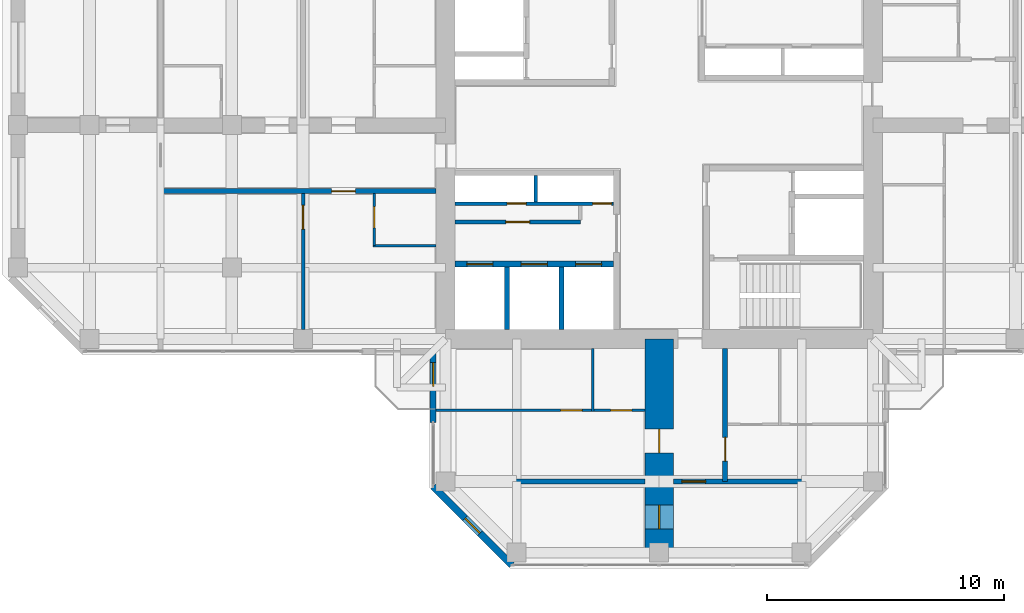
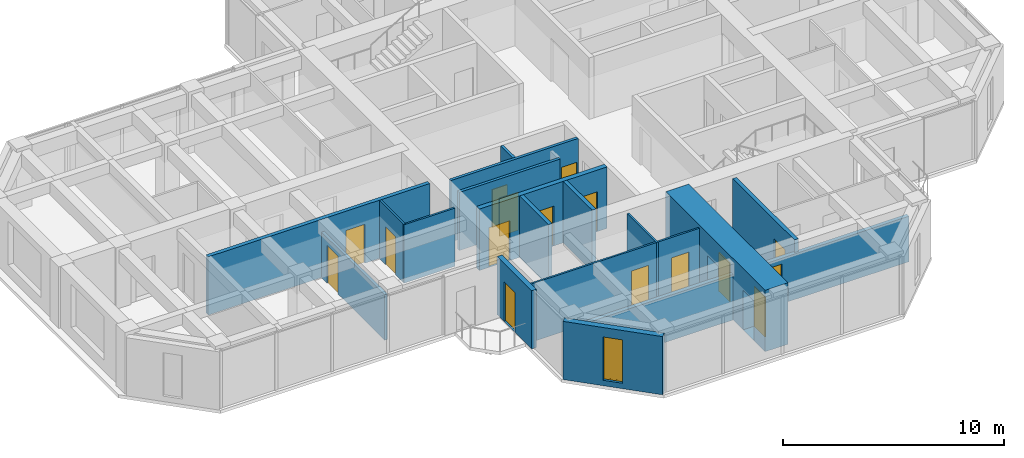
# One storey, part 8 of 13: 18 walls, 16 doors, 1 window, 17 openings.
"""IFC4 building model written with IfcOpenShell, lengths in metres."""

from ifc_helpers import new_model, si_unit, direction, frame, frame_2d, origin, place, context, subcontext, project, spatial, rectangle, hollow_rectangle, extrude, material, layer, layer_set, constituent, constituent_set, type_object, element, fill, save


model = new_model("IFC4")

# Units and contexts
model_context = context("Model", 3, precision=1e-05, world=origin(), true_north=direction((0.0, 1.0)))
body_context = subcontext(model_context, "Body", "Model", "MODEL_VIEW")
ifc_project = project(units=[si_unit("LENGTHUNIT", "METRE"), si_unit("AREAUNIT", "SQUARE_METRE"), si_unit("VOLUMEUNIT", "CUBIC_METRE"), si_unit("PLANEANGLEUNIT", "RADIAN"), si_unit("MASSUNIT", "GRAM", prefix="KILO")], contexts=[model_context])

# Site, building, storey
site_placement = place(None, origin())
site = spatial("IfcSite", under=ifc_project, at=site_placement, CompositionType="ELEMENT")
building_placement = place(site_placement, origin())
building = spatial("IfcBuilding", under=site, at=building_placement, Name="Torre Cruceta", CompositionType="ELEMENT")
storey_placement = place(building_placement, frame((0.0, 0.0, 232.300048828125)))
storey = spatial("IfcBuildingStorey", under=building, at=storey_placement, Name="L59", CompositionType="ELEMENT", Elevation=232.300048828125)

# Wall
ifc_material_1 = material(Name="Water-resistant plasterboard on steel studs", Category="steel")
ifc_layer_1 = layer(ifc_material_1, 0.10009765625)
ifc_layer_set_1 = layer_set([ifc_layer_1], Name="Water-resistant plasterboard on steel studs")
wall_type_1 = type_object("IfcWallType", Name="BATHROOM WALL 100", PredefinedType="PARTITIONING", material=ifc_layer_set_1)
wall_1_placement = place(storey_placement, frame((-2.800048828125, -9.39990234375, 0.0), z_axis=(0.0, 0.0, 1.0), x_axis=(0.0, -1.0, 0.0)))
element("IfcWall", 1, at=wall_1_placement, inside=storey, type_object=wall_type_1, Name="PT4 L59-S-U1RBB", PredefinedType="PARTITIONING", context=body_context, shape_type="SweptSolid", body=[
    extrude(rectangle(XDim=2.650146484375, YDim=0.10009765625, at=frame_2d((1.3251953125, 0.0))), origin(), (0.0, 0.0, 1.0), 3.219970703125),
])

# Wall, openings, doors
wall_2_placement = place(storey_placement, frame((-9.39501953125, -12.0, 0.0), z_axis=(0.0, 0.0, 1.0), x_axis=(1.0, 0.0, 0.0)))
wall_2 = element("IfcWall", 2, at=wall_2_placement, inside=storey, type_object=wall_type_1, Name="PT4 L59-S-U1RBS", PredefinedType="PARTITIONING", context=body_context, shape_type="SweptSolid", body=[
    extrude(rectangle(XDim=8.794921875, YDim=0.10009765625, at=frame_2d((4.3974609375, 0.0))), origin(), (0.0, 0.0, 1.0), 3.219970703125),
])
opening_1_placement = place(wall_2_placement, frame((5.2451171875, 0.0, 0.0)))
opening_1 = element("IfcOpeningElement", 3, at=opening_1_placement, cuts=wall_2, Name="Opening D7", PredefinedType="OPENING", context=body_context, shape_type="SweptSolid", body=[
    extrude(rectangle(XDim=0.89990234375, YDim=2.10009765625, at=frame_2d((0.449951171875, 1.050048828125))), frame((0.0, 0.06005859375, 0.0), z_axis=(0.0, -1.0, 0.0), x_axis=(1.0, 0.0, 0.0)), (0.0, 0.0, 1.0), 0.1201171875),
])
opening_2_placement = place(wall_2_placement, frame((7.344970703125, 0.0, 0.0)))
opening_2 = element("IfcOpeningElement", 4, at=opening_2_placement, cuts=wall_2, Name="Opening D7", PredefinedType="OPENING", context=body_context, shape_type="SweptSolid", body=[
    extrude(rectangle(XDim=0.89990234375, YDim=2.10009765625, at=frame_2d((0.449951171875, 1.050048828125))), frame((0.0, 0.06005859375, 0.0), z_axis=(0.0, -1.0, 0.0), x_axis=(1.0, 0.0, 0.0)), (0.0, 0.0, 1.0), 0.1201171875),
])
ifc_material_2 = material(Name="Timber door", Category="wood")
door_type_1 = type_object("IfcDoorType", Name="BATHROOM DOOR 900X2100", OperationType="SINGLE_SWING_LEFT", PredefinedType="DOOR", material=ifc_material_2)
door_1_placement = place(opening_1_placement, origin())
door_1 = element("IfcDoor", 5, at=door_1_placement, inside=storey, type_object=door_type_1, Name="D7 L59-S-U1RBS-D1", OperationType="SINGLE_SWING_RIGHT", OverallHeight=2.10009765625, OverallWidth=0.89990234375, PredefinedType="DOOR", context=body_context, shape_type="SweptSolid", body=[
    extrude(rectangle(XDim=0.89990234375, YDim=2.10009765625, at=frame_2d((0.449951171875, 1.050048828125))), frame((0.0, 0.02490234375, 0.0), z_axis=(0.0, -1.0, 0.0), x_axis=(1.0, 0.0, 0.0)), (0.0, 0.0, 1.0), 0.050048828125),
])
fill(opening_1, door_1)
door_2_placement = place(opening_2_placement, origin())
door_2 = element("IfcDoor", 6, at=door_2_placement, inside=storey, type_object=door_type_1, Name="D7 L59-S-U1RBS-D2", OperationType="SINGLE_SWING_RIGHT", OverallHeight=2.10009765625, OverallWidth=0.89990234375, PredefinedType="DOOR", context=body_context, shape_type="SweptSolid", body=[
    extrude(rectangle(XDim=0.89990234375, YDim=2.10009765625, at=frame_2d((0.449951171875, 1.050048828125))), frame((0.0, 0.02490234375, 0.0), z_axis=(0.0, -1.0, 0.0), x_axis=(1.0, 0.0, 0.0)), (0.0, 0.0, 1.0), 0.050048828125),
])
fill(opening_2, door_2)

# Wall
wall_3_placement = place(storey_placement, frame((-9.39990234375, -5.074951171875, 0.0), z_axis=(0.0, 0.0, 1.0), x_axis=(-1.0, 0.0, 0.0)))
element("IfcWall", 7, at=wall_3_placement, inside=storey, type_object=wall_type_1, Name="PT4 L59-W-U1LBB", PredefinedType="PARTITIONING", context=body_context, shape_type="SweptSolid", body=[
    extrude(rectangle(XDim=2.650146484375, YDim=0.10009765625, at=frame_2d((1.3251953125, 0.0))), origin(), (0.0, 0.0, 1.0), 3.219970703125),
])

# Wall, opening, door
wall_4_placement = place(storey_placement, frame((-12.0, -2.875, 0.0), z_axis=(0.0, 0.0, 1.0), x_axis=(0.0, -1.0, 0.0)))
wall_4 = element("IfcWall", 8, at=wall_4_placement, inside=storey, type_object=wall_type_1, Name="PT4 L59-W-U1LBS", PredefinedType="PARTITIONING", context=body_context, shape_type="SweptSolid", body=[
    extrude(rectangle(XDim=2.199951171875, YDim=0.10009765625, at=frame_2d((1.10009765625, 0.0))), origin(), (0.0, 0.0, 1.0), 3.219970703125),
])
opening_3_placement = place(wall_4_placement, frame((0.550048828125, 0.0, 0.0)))
opening_3 = element("IfcOpeningElement", 9, at=opening_3_placement, cuts=wall_4, Name="Opening D7", PredefinedType="OPENING", context=body_context, shape_type="SweptSolid", body=[
    extrude(rectangle(XDim=0.89990234375, YDim=2.10009765625, at=frame_2d((0.449951171875, 1.050048828125))), frame((0.0, 0.06005859375, 0.0), z_axis=(0.0, -1.0, 0.0), x_axis=(1.0, 0.0, 0.0)), (0.0, 0.0, 1.0), 0.1201171875),
])
door_3_placement = place(opening_3_placement, origin())
door_3 = element("IfcDoor", 10, at=door_3_placement, inside=storey, type_object=door_type_1, Name="D7 L59-W-U1LBS-D1", OperationType="SINGLE_SWING_LEFT", OverallHeight=2.10009765625, OverallWidth=0.89990234375, PredefinedType="DOOR", context=body_context, shape_type="SweptSolid", body=[
    extrude(rectangle(XDim=0.89990234375, YDim=2.10009765625, at=frame_2d((0.449951171875, 1.050048828125))), frame((0.0, 0.02490234375, 0.0), z_axis=(0.0, -1.0, 0.0), x_axis=(1.0, 0.0, 0.0)), (0.0, 0.0, 1.0), 0.050048828125),
])
fill(opening_3, door_3)

# Wall, openings, doors
ifc_material_3 = material(Name="Concrete G60 (fck 60 MPa)", Category="concrete")
ifc_layer_2 = layer(ifc_material_3, 0.25)
ifc_layer_set_2 = layer_set([ifc_layer_2], Name="Concrete G60 (fck 60 MPa)")
wall_type_2 = type_object("IfcWallType", Name="CORE INNER WALL 250 G60", PredefinedType="SHEAR", material=ifc_layer_set_2)
wall_5_placement = place(storey_placement, frame((-1.925048828125, -5.85009765625, 0.0), z_axis=(0.0, 0.0, 1.0), x_axis=(-1.0, 0.0, 0.0)))
wall_5 = element("IfcWall", 11, at=wall_5_placement, inside=storey, type_object=wall_type_2, Name="CW4 L59 SW-LV", PredefinedType="SHEAR", context=body_context, shape_type="SweptSolid", body=[
    extrude(rectangle(XDim=6.675048828125, YDim=0.25, at=frame_2d((3.33740234375, 0.0))), origin(), (0.0, 0.0, 1.0), 3.39990234375),
])
opening_4_placement = place(wall_5_placement, frame((0.495849609375, 0.0, 0.0)))
opening_4 = element("IfcOpeningElement", 12, at=opening_4_placement, cuts=wall_5, Name="Opening LD1", PredefinedType="OPENING", context=body_context, shape_type="SweptSolid", body=[
    extrude(rectangle(XDim=1.10009765625, YDim=2.199951171875, at=frame_2d((0.550048828125, 1.10009765625))), frame((0.0, 0.135009765625, 0.0), z_axis=(0.0, -1.0, 0.0), x_axis=(1.0, 0.0, 0.0)), (0.0, 0.0, 1.0), 0.27001953125),
])
opening_5_placement = place(wall_5_placement, frame((2.78759765625, 0.0, 0.0)))
opening_5 = element("IfcOpeningElement", 13, at=opening_5_placement, cuts=wall_5, Name="Opening LD1", PredefinedType="OPENING", context=body_context, shape_type="SweptSolid", body=[
    extrude(rectangle(XDim=1.10009765625, YDim=2.199951171875, at=frame_2d((0.550048828125, 1.10009765625))), frame((0.0, 0.135009765625, 0.0), z_axis=(0.0, -1.0, 0.0), x_axis=(1.0, 0.0, 0.0)), (0.0, 0.0, 1.0), 0.27001953125),
])
opening_6_placement = place(wall_5_placement, frame((5.0791015625, 0.0, 0.0)))
opening_6 = element("IfcOpeningElement", 14, at=opening_6_placement, cuts=wall_5, Name="Opening LD1", PredefinedType="OPENING", context=body_context, shape_type="SweptSolid", body=[
    extrude(rectangle(XDim=1.10009765625, YDim=2.199951171875, at=frame_2d((0.550048828125, 1.10009765625))), frame((0.0, 0.135009765625, 0.0), z_axis=(0.0, -1.0, 0.0), x_axis=(1.0, 0.0, 0.0)), (0.0, 0.0, 1.0), 0.27001953125),
])
ifc_material_4 = material(Name="Stainless steel 1.4401", Category="steel")
door_type_2 = type_object("IfcDoorType", Name="LIFT LANDING DOOR 1100X2200", OperationType="DOUBLE_DOOR_SLIDING", PredefinedType="DOOR", material=ifc_material_4)
door_4_placement = place(opening_4_placement, origin())
door_4 = element("IfcDoor", 15, at=door_4_placement, inside=storey, type_object=door_type_2, Name="Lift landing door R1", OperationType="DOUBLE_DOOR_SLIDING", OverallHeight=2.199951171875, OverallWidth=1.10009765625, PredefinedType="DOOR", context=body_context, shape_type="SweptSolid", body=[
    extrude(rectangle(XDim=1.10009765625, YDim=2.199951171875, at=frame_2d((0.550048828125, 1.10009765625))), frame((0.0, 0.02490234375, 0.0), z_axis=(0.0, -1.0, 0.0), x_axis=(1.0, 0.0, 0.0)), (0.0, 0.0, 1.0), 0.050048828125),
])
fill(opening_4, door_4)
door_5_placement = place(opening_5_placement, origin())
door_5 = element("IfcDoor", 16, at=door_5_placement, inside=storey, type_object=door_type_2, Name="Lift landing door R2", OperationType="DOUBLE_DOOR_SLIDING", OverallHeight=2.199951171875, OverallWidth=1.10009765625, PredefinedType="DOOR", context=body_context, shape_type="SweptSolid", body=[
    extrude(rectangle(XDim=1.10009765625, YDim=2.199951171875, at=frame_2d((0.550048828125, 1.10009765625))), frame((0.0, 0.02490234375, 0.0), z_axis=(0.0, -1.0, 0.0), x_axis=(1.0, 0.0, 0.0)), (0.0, 0.0, 1.0), 0.050048828125),
])
fill(opening_5, door_5)
door_6_placement = place(opening_6_placement, origin())
door_6 = element("IfcDoor", 17, at=door_6_placement, inside=storey, type_object=door_type_2, Name="Lift landing door R3", OperationType="DOUBLE_DOOR_SLIDING", OverallHeight=2.199951171875, OverallWidth=1.10009765625, PredefinedType="DOOR", context=body_context, shape_type="SweptSolid", body=[
    extrude(rectangle(XDim=1.10009765625, YDim=2.199951171875, at=frame_2d((0.550048828125, 1.10009765625))), frame((0.0, 0.02490234375, 0.0), z_axis=(0.0, -1.0, 0.0), x_axis=(1.0, 0.0, 0.0)), (0.0, 0.0, 1.0), 0.050048828125),
])
fill(opening_6, door_6)

# Wall, opening, door
ifc_material_5 = material(Name="Concrete G25 (fck 25 MPa)", Category="concrete")
ifc_layer_3 = layer(ifc_material_5, 0.199951171875)
ifc_layer_set_3 = layer_set([ifc_layer_3], Name="Concrete G25 (fck 25 MPa)")
wall_type_3 = type_object("IfcWallType", Name="CORRIDOR WALL 200", PredefinedType="SOLIDWALL", material=ifc_layer_set_3)
wall_6_placement = place(storey_placement, frame((2.77490234375, -9.39990234375, 0.0), z_axis=(0.0, 0.0, 1.0), x_axis=(0.0, -1.0, 0.0)))
wall_6 = element("IfcWall", 18, at=wall_6_placement, inside=storey, type_object=wall_type_3, Name="PT3 L59-S-CL", PredefinedType="SOLIDWALL", context=body_context, shape_type="SweptSolid", body=[
    extrude(rectangle(XDim=5.60009765625, YDim=0.199951171875, at=frame_2d((2.800048828125, 0.0))), origin(), (0.0, 0.0, 1.0), 3.219970703125),
])
opening_7_placement = place(wall_6_placement, frame((3.75, 0.0, 0.0)))
opening_7 = element("IfcOpeningElement", 19, at=opening_7_placement, cuts=wall_6, Name="Opening D6", PredefinedType="OPENING", context=body_context, shape_type="SweptSolid", body=[
    extrude(rectangle(XDim=1.0, YDim=2.14990234375, at=frame_2d((0.5, 1.074951171875))), frame((0.0, 0.10986328125, 0.0), z_axis=(0.0, -1.0, 0.0), x_axis=(1.0, 0.0, 0.0)), (0.0, 0.0, 1.0), 0.219970703125),
])
ifc_material_6 = material(Name="Timber fire door", Category="wood")
door_type_3 = type_object("IfcDoorType", Name="UNIT ENTRANCE DOOR 1000X2150", OperationType="SINGLE_SWING_LEFT", PredefinedType="DOOR", material=ifc_material_6)
door_7_placement = place(opening_7_placement, origin())
door_7 = element("IfcDoor", 20, at=door_7_placement, inside=storey, type_object=door_type_3, Name="D6 L59-S-CL-D1", OperationType="SINGLE_SWING_LEFT", OverallHeight=2.14990234375, OverallWidth=1.0, PredefinedType="DOOR", context=body_context, shape_type="SweptSolid", body=[
    extrude(rectangle(XDim=1.0, YDim=2.14990234375, at=frame_2d((0.5, 1.074951171875))), frame((0.0, 0.02490234375, 0.0), z_axis=(0.0, -1.0, 0.0), x_axis=(1.0, 0.0, 0.0)), (0.0, 0.0, 1.0), 0.050048828125),
])
fill(opening_7, door_7)

wall_7_placement = place(storey_placement, frame((-9.39990234375, -2.77490234375, 0.0), z_axis=(0.0, 0.0, 1.0), x_axis=(-1.0, 0.0, 0.0)))
wall_7 = element("IfcWall", 21, at=wall_7_placement, inside=storey, type_object=wall_type_3, Name="PT3 L59-W-CL", PredefinedType="SOLIDWALL", context=body_context, shape_type="SweptSolid", body=[
    extrude(rectangle(XDim=11.60009765625, YDim=0.199951171875, at=frame_2d((5.800048828125, 0.0))), origin(), (0.0, 0.0, 1.0), 3.219970703125),
])
opening_8_placement = place(wall_7_placement, frame((3.39990234375, 0.0, 0.0)))
opening_8 = element("IfcOpeningElement", 22, at=opening_8_placement, cuts=wall_7, Name="Opening D6", PredefinedType="OPENING", context=body_context, shape_type="SweptSolid", body=[
    extrude(rectangle(XDim=1.0, YDim=2.14990234375, at=frame_2d((0.5, 1.074951171875))), frame((0.0, 0.10986328125, 0.0), z_axis=(0.0, -1.0, 0.0), x_axis=(1.0, 0.0, 0.0)), (0.0, 0.0, 1.0), 0.219970703125),
])
door_8_placement = place(opening_8_placement, origin())
door_8 = element("IfcDoor", 23, at=door_8_placement, inside=storey, type_object=door_type_3, Name="D6 L59-W-CL-D1", OperationType="SINGLE_SWING_LEFT", OverallHeight=2.14990234375, OverallWidth=1.0, PredefinedType="DOOR", context=body_context, shape_type="SweptSolid", body=[
    extrude(rectangle(XDim=1.0, YDim=2.14990234375, at=frame_2d((0.5, 1.074951171875))), frame((0.0, 0.02490234375, 0.0), z_axis=(0.0, -1.0, 0.0), x_axis=(1.0, 0.0, 0.0)), (0.0, 0.0, 1.0), 0.050048828125),
])
fill(opening_8, door_8)

# Wall, opening, window
ifc_material_7 = material(Name="Concrete G30 (fck 30 MPa)", Category="concrete")
ifc_layer_4 = layer(ifc_material_7, 0.300048828125)
ifc_layer_set_4 = layer_set([ifc_layer_4], Name="Concrete G30 (fck 30 MPa)")
wall_type_4 = type_object("IfcWallType", Name="EXPOSED CONCRETE FACADE WALL 300", PredefinedType="SOLIDWALL", material=ifc_layer_set_4)
wall_8_placement = place(storey_placement, frame((-9.52001953125, -15.21533203125, 0.0), z_axis=(0.0, 0.0, 1.0), x_axis=(0.707106781187, -0.707106781187, 0.0)))
wall_8 = element("IfcWall", 24, at=wall_8_placement, inside=storey, type_object=wall_type_4, Name="EW1 facade wall L59 S chamfer 16", PredefinedType="SOLIDWALL", context=body_context, shape_type="SweptSolid", body=[
    extrude(rectangle(XDim=4.673583984375, YDim=0.300048828125, at=frame_2d((2.3369140625, 0.0))), origin(), (0.0, 0.0, 1.0), 3.219970703125),
])
opening_9_placement = place(wall_8_placement, frame((1.88671875, 0.0, 0.300048828125)))
opening_9 = element("IfcOpeningElement", 25, at=opening_9_placement, cuts=wall_8, Name="Opening WN5", PredefinedType="OPENING", context=body_context, shape_type="SweptSolid", body=[
    extrude(rectangle(XDim=0.89990234375, YDim=2.39990234375, at=frame_2d((0.449951171875, 1.199951171875))), frame((0.0, 0.159912109375, 0.0), z_axis=(0.0, -1.0, 0.0), x_axis=(1.0, 0.0, 0.0)), (0.0, 0.0, 1.0), 0.320068359375),
])
ifc_material_8 = material(Name="Aluminium window frame", Category="aluminium")
ifc_constituent_1 = constituent(ifc_material_8, Name="Frame")
ifc_material_9 = material(Name="Laminated insulating glass unit, low-iron clear", Category="glass")
ifc_constituent_2 = constituent(ifc_material_9, Name="Glazing")
ifc_constituent_set_1 = constituent_set(constituents=[ifc_constituent_1, ifc_constituent_2], Name="Aluminium window")
window_type = type_object("IfcWindowType", Name="CHAMFER SLOT WINDOW 900X2400", PartitioningType="SINGLE_PANEL", PredefinedType="WINDOW", material=ifc_constituent_set_1)
window_placement = place(opening_9_placement, origin())
window = element("IfcWindow", 26, at=window_placement, inside=storey, type_object=window_type, Name="WN5 L59 S 1", OverallHeight=2.39990234375, OverallWidth=0.89990234375, PartitioningType="SINGLE_PANEL", PredefinedType="WINDOW", context=body_context, shape_type="SweptSolid", body=[
    extrude(hollow_rectangle(XDim=0.89990234375, YDim=2.39990234375, WallThickness=0.06005859375, at=frame_2d((0.449951171875, 1.199951171875))), frame((0.0, 0.030029296875, 0.0), z_axis=(0.0, -1.0, 0.0), x_axis=(1.0, 0.0, 0.0)), (0.0, 0.0, 1.0), 0.06005859375),
    extrude(rectangle(XDim=0.77880859375, YDim=2.27880859375, at=frame_2d((0.449951171875, 1.199951171875))), frame((0.0, 0.030029296875, 0.0), z_axis=(0.0, -1.0, 0.0), x_axis=(1.0, 0.0, 0.0)), (0.0, 0.0, 1.0), 0.06005859375),
])
fill(opening_9, window)

# Walls
ifc_material_10 = material(Name="Concrete G35 (fck 35 MPa)", Category="concrete")
ifc_layer_5 = layer(ifc_material_10, 0.199951171875)
ifc_layer_set_5 = layer_set([ifc_layer_5], Name="Concrete G35 (fck 35 MPa)")
wall_type_5 = type_object("IfcWallType", Name="LIFT SHAFT WALL 200", PredefinedType="PARTITIONING", material=ifc_layer_set_5)
for number, where, z_axis, x_axis, name in (
    (27, (-4.11669921875, -5.97509765625, 0.0), (0.0, 0.0, 1.0), (0.0, -1.0, 0.0), "SW1 L59 SW-LS1"),
    (28, (-6.408447265625, -5.97509765625, 0.0), (0.0, 0.0, 1.0), (0.0, -1.0, 0.0), "SW1 L59 SW-LS2"),
):
    element("IfcWall", number, at=place(storey_placement, frame(where, z_axis=z_axis, x_axis=x_axis)), inside=storey, type_object=wall_type_5, Name=name, PredefinedType="PARTITIONING", context=body_context, shape_type="SweptSolid", body=[
        extrude(rectangle(XDim=2.625, YDim=0.199951171875, at=frame_2d((1.3125, 0.0))), origin(), (0.0, 0.0, 1.0), 3.39990234375),
    ])

# Wall, opening, door
ifc_material_11 = material(Name="Plasterboard on steel studs", Category="steel")
ifc_layer_6 = layer(ifc_material_11, 0.14990234375)
ifc_layer_set_6 = layer_set([ifc_layer_6], Name="Plasterboard on steel studs")
wall_type_6 = type_object("IfcWallType", Name="PARTITION 150", PredefinedType="PARTITIONING", material=ifc_layer_set_6)
wall_9_placement = place(storey_placement, frame((-3.324951171875, -4.074951171875, 0.0), z_axis=(0.0, 0.0, 1.0), x_axis=(-1.0, 0.0, 0.0)))
wall_9 = element("IfcWall", 29, at=wall_9_placement, inside=storey, type_object=wall_type_6, Name="PT1 L59-CORE-SW-CUPBOARD", PredefinedType="PARTITIONING", context=body_context, shape_type="SweptSolid", body=[
    extrude(rectangle(XDim=5.275146484375, YDim=0.14990234375, at=frame_2d((2.6376953125, 0.0))), origin(), (0.0, 0.0, 1.0), 3.219970703125),
])
opening_10_placement = place(wall_9_placement, frame((2.137451171875, 0.0, 0.0)))
opening_10 = element("IfcOpeningElement", 30, at=opening_10_placement, cuts=wall_9, Name="Opening D19", PredefinedType="OPENING", context=body_context, shape_type="SweptSolid", body=[
    extrude(rectangle(XDim=1.0, YDim=2.10009765625, at=frame_2d((0.5, 1.050048828125))), frame((0.0, 0.0849609375, 0.0), z_axis=(0.0, -1.0, 0.0), x_axis=(1.0, 0.0, 0.0)), (0.0, 0.0, 1.0), 0.169921875),
])
ifc_material_12 = material(Name="Timber fire door", Category="wood")
door_type_4 = type_object("IfcDoorType", Name="CUPBOARD PAIR OF DOORS 1000X2100", OperationType="DOUBLE_DOOR_SINGLE_SWING", PredefinedType="DOOR", material=ifc_material_12)
door_9_placement = place(opening_10_placement, frame((1.0, 0.0, 0.0), z_axis=(0.0, 0.0, 1.0), x_axis=(-1.0, 0.0, 0.0)))
door_9 = element("IfcDoor", 31, at=door_9_placement, inside=storey, type_object=door_type_4, Name="D19 L59-CORE-SW-CUPBOARD-D1", OperationType="DOUBLE_DOOR_SINGLE_SWING", OverallHeight=2.10009765625, OverallWidth=1.0, PredefinedType="DOOR", context=body_context, shape_type="SweptSolid", body=[
    extrude(rectangle(XDim=1.0, YDim=2.10009765625, at=frame_2d((0.5, 1.050048828125))), frame((0.0, 0.025146484375, 0.0), z_axis=(0.0, -1.0, 0.0), x_axis=(1.0, 0.0, 0.0)), (0.0, 0.0, 1.0), 0.050048828125),
])
fill(opening_10, door_9)

wall_10_placement = place(storey_placement, frame((-15.0, -2.875, 0.0), z_axis=(0.0, 0.0, 1.0), x_axis=(0.0, -1.0, 0.0)))
wall_10 = element("IfcWall", 32, at=wall_10_placement, inside=storey, type_object=wall_type_6, Name="PT1 L59-W-P1L", PredefinedType="PARTITIONING", context=body_context, shape_type="SweptSolid", body=[
    extrude(rectangle(XDim=5.72509765625, YDim=0.14990234375, at=frame_2d((2.862548828125, 0.0))), origin(), (0.0, 0.0, 1.0), 2.52001953125),
])
opening_11_placement = place(wall_10_placement, frame((0.5, 0.0, 0.0)))
opening_11 = element("IfcOpeningElement", 33, at=opening_11_placement, cuts=wall_10, Name="Opening D3", PredefinedType="OPENING", context=body_context, shape_type="SweptSolid", body=[
    extrude(rectangle(XDim=1.0, YDim=2.10009765625, at=frame_2d((0.5, 1.050048828125))), frame((0.0, 0.0849609375, 0.0), z_axis=(0.0, -1.0, 0.0), x_axis=(1.0, 0.0, 0.0)), (0.0, 0.0, 1.0), 0.169921875),
])
ifc_material_13 = material(Name="Steel DX51D", Category="steel")
ifc_constituent_3 = constituent(ifc_material_13, Name="Leaf and frame")
ifc_material_14 = material(Name="Polyester powder coating", Category="paint")
ifc_constituent_4 = constituent(ifc_material_14, Name="Finish")
ifc_constituent_set_2 = constituent_set(constituents=[ifc_constituent_3, ifc_constituent_4], Name="Steel fire door")
door_type_5 = type_object("IfcDoorType", Name="FIRE DOOR 1000X2100", OperationType="SINGLE_SWING_LEFT", PredefinedType="DOOR", material=ifc_constituent_set_2)
door_10_placement = place(opening_11_placement, origin())
door_10 = element("IfcDoor", 34, at=door_10_placement, inside=storey, type_object=door_type_5, Name="D3 L59-W-P1L-D1", OperationType="SINGLE_SWING_LEFT", OverallHeight=2.10009765625, OverallWidth=1.0, PredefinedType="DOOR", context=body_context, shape_type="SweptSolid", body=[
    extrude(rectangle(XDim=1.0, YDim=2.10009765625, at=frame_2d((0.5, 1.050048828125))), frame((0.0, 0.02490234375, 0.0), z_axis=(0.0, -1.0, 0.0), x_axis=(1.0, 0.0, 0.0)), (0.0, 0.0, 1.0), 0.050048828125),
])
fill(opening_11, door_10)

# Wall, openings, doors
ifc_material_15 = material(Name="Concrete block masonry", Category="masonry")
ifc_layer_7 = layer(ifc_material_15, 0.14990234375)
ifc_layer_set_7 = layer_set([ifc_layer_7], Name="Concrete block masonry")
wall_type_7 = type_object("IfcWallType", Name="RISER WALL 150", PredefinedType="PARTITIONING", material=ifc_layer_set_7)
wall_11_placement = place(storey_placement, frame((-1.925048828125, -3.300048828125, 0.0), z_axis=(0.0, 0.0, 1.0), x_axis=(-1.0, 0.0, 0.0)))
wall_11 = element("IfcWall", 35, at=wall_11_placement, inside=storey, type_object=wall_type_7, Name="SW7 L59 SW-RV", PredefinedType="PARTITIONING", context=body_context, shape_type="SweptSolid", body=[
    extrude(rectangle(XDim=6.675048828125, YDim=0.14990234375, at=frame_2d((3.33740234375, 0.0))), origin(), (0.0, 0.0, 1.0), 3.39990234375),
])
opening_12_placement = place(wall_11_placement, frame((0.074951171875, 0.0, 0.0)))
opening_12 = element("IfcOpeningElement", 36, at=opening_12_placement, cuts=wall_11, Name="Opening D5", PredefinedType="OPENING", context=body_context, shape_type="SweptSolid", body=[
    extrude(rectangle(XDim=0.800048828125, YDim=2.10009765625, at=frame_2d((0.39990234375, 1.050048828125))), frame((0.0, 0.0849609375, 0.0), z_axis=(0.0, -1.0, 0.0), x_axis=(1.0, 0.0, 0.0)), (0.0, 0.0, 1.0), 0.169921875),
])
opening_13_placement = place(wall_11_placement, frame((3.675048828125, 0.0, 0.0)))
opening_13 = element("IfcOpeningElement", 37, at=opening_13_placement, cuts=wall_11, Name="Opening D5", PredefinedType="OPENING", context=body_context, shape_type="SweptSolid", body=[
    extrude(rectangle(XDim=0.800048828125, YDim=2.10009765625, at=frame_2d((0.39990234375, 1.050048828125))), frame((0.0, 0.0849609375, 0.0), z_axis=(0.0, -1.0, 0.0), x_axis=(1.0, 0.0, 0.0)), (0.0, 0.0, 1.0), 0.169921875),
])
ifc_material_16 = material(Name="Steel DX51D", Category="steel")
ifc_constituent_5 = constituent(ifc_material_16, Name="Leaf and frame")
ifc_material_17 = material(Name="Polyester powder coating", Category="paint")
ifc_constituent_6 = constituent(ifc_material_17, Name="Finish")
ifc_constituent_set_3 = constituent_set(constituents=[ifc_constituent_5, ifc_constituent_6], Name="Steel fire door")
door_type_6 = type_object("IfcDoorType", Name="RISER ACCESS DOOR 800X2100", OperationType="SINGLE_SWING_LEFT", PredefinedType="DOOR", material=ifc_constituent_set_3)
door_11_placement = place(opening_12_placement, frame((0.800048828125, 0.0, 0.0), z_axis=(0.0, 0.0, 1.0), x_axis=(-1.0, 0.0, 0.0)))
door_11 = element("IfcDoor", 38, at=door_11_placement, inside=storey, type_object=door_type_6, Name="D5 L59 SW-RISER1", OperationType="SINGLE_SWING_RIGHT", OverallHeight=2.10009765625, OverallWidth=0.800048828125, PredefinedType="DOOR", context=body_context, shape_type="SweptSolid", body=[
    extrude(rectangle(XDim=0.800048828125, YDim=2.10009765625, at=frame_2d((0.400146484375, 1.050048828125))), frame((0.0, 0.025146484375, 0.0), z_axis=(0.0, -1.0, 0.0), x_axis=(1.0, 0.0, 0.0)), (0.0, 0.0, 1.0), 0.050048828125),
])
fill(opening_12, door_11)
door_12_placement = place(opening_13_placement, frame((0.800048828125, 0.0, 0.0), z_axis=(0.0, 0.0, 1.0), x_axis=(-1.0, 0.0, 0.0)))
door_12 = element("IfcDoor", 39, at=door_12_placement, inside=storey, type_object=door_type_6, Name="D5 L59 SW-RISER2", OperationType="SINGLE_SWING_RIGHT", OverallHeight=2.10009765625, OverallWidth=0.800048828125, PredefinedType="DOOR", context=body_context, shape_type="SweptSolid", body=[
    extrude(rectangle(XDim=0.800048828125, YDim=2.10009765625, at=frame_2d((0.400146484375, 1.050048828125))), frame((0.0, 0.025146484375, 0.0), z_axis=(0.0, -1.0, 0.0), x_axis=(1.0, 0.0, 0.0)), (0.0, 0.0, 1.0), 0.050048828125),
])
fill(opening_13, door_12)

# Wall
wall_12_placement = place(storey_placement, frame((-5.199951171875, -2.125, 0.0), z_axis=(0.0, 0.0, 1.0), x_axis=(0.0, -1.0, 0.0)))
element("IfcWall", 40, at=wall_12_placement, inside=storey, type_object=wall_type_7, Name="SW7 L59 SW-RU", PredefinedType="PARTITIONING", context=body_context, shape_type="SweptSolid", body=[
    extrude(rectangle(XDim=1.10009765625, YDim=0.14990234375, at=frame_2d((0.550048828125, 0.0))), origin(), (0.0, 0.0, 1.0), 3.39990234375),
])

# Wall, openings, doors
ifc_material_18 = material(Name="Concrete G60 (fck 60 MPa)", Category="concrete")
ifc_layer_8 = layer(ifc_material_18, 1.199951171875)
ifc_layer_set_8 = layer_set([ifc_layer_8], Name="Concrete G60 (fck 60 MPa)")
wall_type_8 = type_object("IfcWallType", Name="SPINE WALL 1200 G60", PredefinedType="SHEAR", material=ifc_layer_set_8)
wall_13_placement = place(storey_placement, frame((0.0, -9.0, 0.0), z_axis=(0.0, 0.0, 1.0), x_axis=(0.0, -1.0, 0.0)))
wall_13 = element("IfcWall", 41, at=wall_13_placement, inside=storey, type_object=wall_type_8, Name="SW3 spine wall L59 S", PredefinedType="SHEAR", context=body_context, shape_type="SweptSolid", body=[
    extrude(rectangle(XDim=9.0, YDim=1.199951171875, at=frame_2d((4.5, 0.0))), origin(), (0.0, 0.0, 1.0), 3.39990234375),
])
opening_14_placement = place(wall_13_placement, frame((3.800048828125, 0.0, 0.0)))
opening_14 = element("IfcOpeningElement", 42, at=opening_14_placement, cuts=wall_13, Name="Opening D6", PredefinedType="OPENING", context=body_context, shape_type="SweptSolid", body=[
    extrude(rectangle(XDim=1.0, YDim=2.14990234375, at=frame_2d((0.5, 1.074951171875))), frame((0.0, 0.60986328125, 0.0), z_axis=(0.0, -1.0, 0.0), x_axis=(1.0, 0.0, 0.0)), (0.0, 0.0, 1.0), 1.219970703125),
])
opening_15_placement = place(wall_13_placement, frame((7.0, 0.0, 0.0)))
opening_15 = element("IfcOpeningElement", 43, at=opening_15_placement, cuts=wall_13, Name="Opening D14", PredefinedType="OPENING", context=body_context, shape_type="SweptSolid", body=[
    extrude(rectangle(XDim=1.0, YDim=2.199951171875, at=frame_2d((0.5, 1.10009765625))), frame((0.0, 0.60986328125, 0.0), z_axis=(0.0, -1.0, 0.0), x_axis=(1.0, 0.0, 0.0)), (0.0, 0.0, 1.0), 1.219970703125),
])
ifc_material_19 = material(Name="Steel DX51D", Category="steel")
ifc_constituent_7 = constituent(ifc_material_19, Name="Leaf and frame")
ifc_material_20 = material(Name="Polyester powder coating", Category="paint")
ifc_constituent_8 = constituent(ifc_material_20, Name="Finish")
ifc_material_21 = material(Name="Fire-resisting glass", Category="glass")
ifc_constituent_9 = constituent(ifc_material_21, Name="Vision panel")
ifc_constituent_set_4 = constituent_set(constituents=[ifc_constituent_7, ifc_constituent_8, ifc_constituent_9], Name="Steel fire door with vision panel")
door_type_7 = type_object("IfcDoorType", Name="FIRE DOOR VISION PANEL 1000X2200", OperationType="SINGLE_SWING_RIGHT", PredefinedType="DOOR", material=ifc_constituent_set_4)
door_13_placement = place(opening_15_placement, origin())
door_13 = element("IfcDoor", 44, at=door_13_placement, inside=storey, type_object=door_type_7, Name="D14 L59-S-SP2", OperationType="SINGLE_SWING_LEFT", OverallHeight=2.199951171875, OverallWidth=1.0, PredefinedType="DOOR", context=body_context, shape_type="SweptSolid", body=[
    extrude(rectangle(XDim=1.0, YDim=2.199951171875, at=frame_2d((0.5, 1.10009765625))), frame((0.0, 0.02490234375, 0.0), z_axis=(0.0, -1.0, 0.0), x_axis=(1.0, 0.0, 0.0)), (0.0, 0.0, 1.0), 0.050048828125),
])
fill(opening_15, door_13)
door_14_placement = place(opening_14_placement, frame((1.0, 0.0, 0.0), z_axis=(0.0, 0.0, 1.0), x_axis=(-1.0, 0.0, 0.0)))
door_14 = element("IfcDoor", 45, at=door_14_placement, inside=storey, type_object=door_type_3, Name="D6 L59-S-SP1", OperationType="SINGLE_SWING_RIGHT", OverallHeight=2.14990234375, OverallWidth=1.0, PredefinedType="DOOR", context=body_context, shape_type="SweptSolid", body=[
    extrude(rectangle(XDim=1.0, YDim=2.14990234375, at=frame_2d((0.5, 1.074951171875))), frame((0.0, 0.025146484375, 0.0), z_axis=(0.0, -1.0, 0.0), x_axis=(1.0, 0.0, 0.0)), (0.0, 0.0, 1.0), 0.050048828125),
])
fill(opening_14, door_14)

# Wall
ifc_material_22 = material(Name="Concrete G25 (fck 25 MPa)", Category="concrete")
ifc_layer_9 = layer(ifc_material_22, 0.199951171875)
ifc_layer_set_9 = layer_set([ifc_layer_9], Name="Concrete G25 (fck 25 MPa)")
wall_type_9 = type_object("IfcWallType", Name="UNIT SEPARATING WALL 200", PredefinedType="SOLIDWALL", material=ifc_layer_set_9)
wall_14_placement = place(storey_placement, frame((-8.60009765625, -15.0, 0.0), z_axis=(0.0, 0.0, 1.0), x_axis=(1.0, 0.0, 0.0)))
element("IfcWall", 46, at=wall_14_placement, inside=storey, type_object=wall_type_9, Name="PT2 L59-S-ENDa", PredefinedType="SOLIDWALL", context=body_context, shape_type="SweptSolid", body=[
    extrude(rectangle(XDim=8.0, YDim=0.199951171875, at=frame_2d((4.0, 0.0))), origin(), (0.0, 0.0, 1.0), 2.52001953125),
])

# Wall, opening, door
wall_15_placement = place(storey_placement, frame((0.60009765625, -15.0, 0.0), z_axis=(0.0, 0.0, 1.0), x_axis=(1.0, 0.0, 0.0)))
wall_15 = element("IfcWall", 47, at=wall_15_placement, inside=storey, type_object=wall_type_9, Name="PT2 L59-S-ENDb", PredefinedType="SOLIDWALL", context=body_context, shape_type="SweptSolid", body=[
    extrude(rectangle(XDim=8.0, YDim=0.199951171875, at=frame_2d((4.0, 0.0))), origin(), (0.0, 0.0, 1.0), 2.52001953125),
])
opening_16_placement = place(wall_15_placement, frame((0.35009765625, 0.0, 0.0)))
opening_16 = element("IfcOpeningElement", 48, at=opening_16_placement, cuts=wall_15, Name="Opening D14", PredefinedType="OPENING", context=body_context, shape_type="SweptSolid", body=[
    extrude(rectangle(XDim=1.0, YDim=2.199951171875, at=frame_2d((0.5, 1.10009765625))), frame((0.0, 0.10986328125, 0.0), z_axis=(0.0, -1.0, 0.0), x_axis=(1.0, 0.0, 0.0)), (0.0, 0.0, 1.0), 0.219970703125),
])
door_15_placement = place(opening_16_placement, frame((1.0, 0.0, 0.0), z_axis=(0.0, 0.0, 1.0), x_axis=(-1.0, 0.0, 0.0)))
door_15 = element("IfcDoor", 49, at=door_15_placement, inside=storey, type_object=door_type_7, Name="D14 L59-S-ENDb-D1", OperationType="SINGLE_SWING_LEFT", OverallHeight=2.199951171875, OverallWidth=1.0, PredefinedType="DOOR", context=body_context, shape_type="SweptSolid", body=[
    extrude(rectangle(XDim=1.0, YDim=2.199951171875, at=frame_2d((0.5, 1.10009765625))), frame((0.0, 0.025146484375, 0.0), z_axis=(0.0, -1.0, 0.0), x_axis=(1.0, 0.0, 0.0)), (0.0, 0.0, 1.0), 0.050048828125),
])
fill(opening_16, door_15)

ifc_material_23 = material(Name="Concrete G30 (fck 30 MPa)", Category="concrete")
ifc_layer_10 = layer(ifc_material_23, 0.25)
ifc_layer_set_10 = layer_set([ifc_layer_10], Name="Concrete G30 (fck 30 MPa)")
wall_type_10 = type_object("IfcWallType", Name="WINTER GARDEN WALL 250", PredefinedType="SOLIDWALL", material=ifc_layer_set_10)
wall_16_placement = place(storey_placement, frame((-9.52001953125, -9.39501953125, 0.0), z_axis=(0.0, 0.0, 1.0), x_axis=(0.0, -1.0, 0.0)))
wall_16 = element("IfcWall", 50, at=wall_16_placement, inside=storey, type_object=wall_type_10, Name="EW2 winter garden wall L59 15", PredefinedType="SOLIDWALL", context=body_context, shape_type="SweptSolid", body=[
    extrude(rectangle(XDim=3.125, YDim=0.25, at=frame_2d((1.5625, 0.0))), origin(), (0.0, 0.0, 1.0), 3.219970703125),
])
opening_17_placement = place(wall_16_placement, frame((0.60009765625, 0.0, 0.0)))
opening_17 = element("IfcOpeningElement", 51, at=opening_17_placement, cuts=wall_16, Name="Opening D10", PredefinedType="OPENING", context=body_context, shape_type="SweptSolid", body=[
    extrude(rectangle(XDim=1.0, YDim=2.199951171875, at=frame_2d((0.5, 1.10009765625))), frame((0.0, 0.135009765625, 0.0), z_axis=(0.0, -1.0, 0.0), x_axis=(1.0, 0.0, 0.0)), (0.0, 0.0, 1.0), 0.27001953125),
])
ifc_material_24 = material(Name="Aluminium door frame", Category="aluminium")
ifc_constituent_10 = constituent(ifc_material_24, Name="Frame")
ifc_material_25 = material(Name="Laminated safety glass", Category="glass")
ifc_constituent_11 = constituent(ifc_material_25, Name="Glazing")
ifc_constituent_set_5 = constituent_set(constituents=[ifc_constituent_10, ifc_constituent_11], Name="Aluminium glazed door")
door_type_8 = type_object("IfcDoorType", Name="BALCONY DOOR 1000X2200", OperationType="SINGLE_SWING_RIGHT", PredefinedType="DOOR", material=ifc_constituent_set_5)
door_16_placement = place(opening_17_placement, origin())
door_16 = element("IfcDoor", 52, at=door_16_placement, inside=storey, type_object=door_type_8, Name="D10 balcony door L59 15", OperationType="SINGLE_SWING_RIGHT", OverallHeight=2.199951171875, OverallWidth=1.0, PredefinedType="DOOR", context=body_context, shape_type="SweptSolid", body=[
    extrude(hollow_rectangle(XDim=1.0, YDim=2.199951171875, WallThickness=0.06005859375, at=frame_2d((0.5, 1.10009765625))), frame((0.0, 0.02490234375, 0.0), z_axis=(0.0, -1.0, 0.0), x_axis=(1.0, 0.0, 0.0)), (0.0, 0.0, 1.0), 0.050048828125),
    extrude(rectangle(XDim=0.87890625, YDim=2.078857421875, at=frame_2d((0.5, 1.10009765625))), frame((0.0, 0.02490234375, 0.0), z_axis=(0.0, -1.0, 0.0), x_axis=(1.0, 0.0, 0.0)), (0.0, 0.0, 1.0), 0.050048828125),
])
fill(opening_17, door_16)

save(model, "model.ifc")
